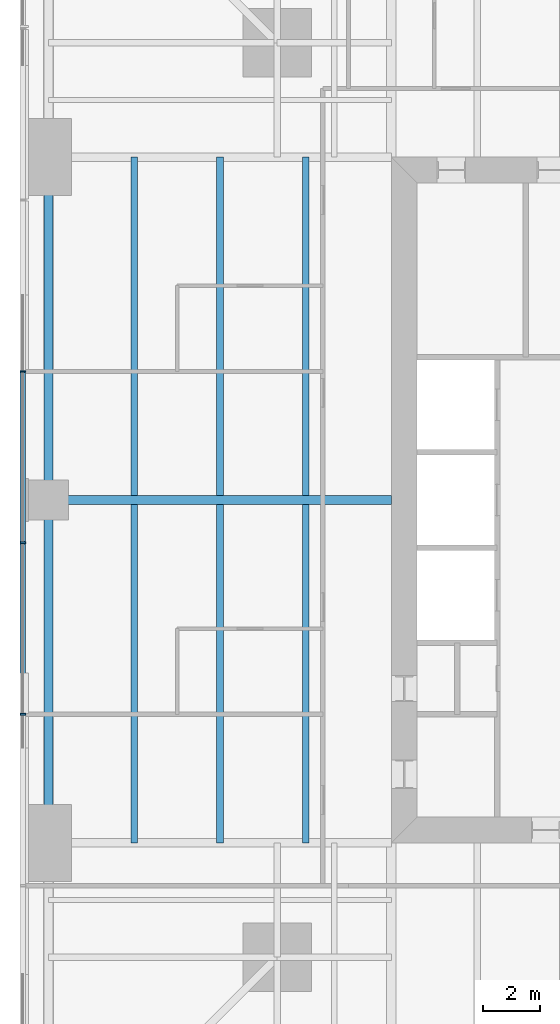
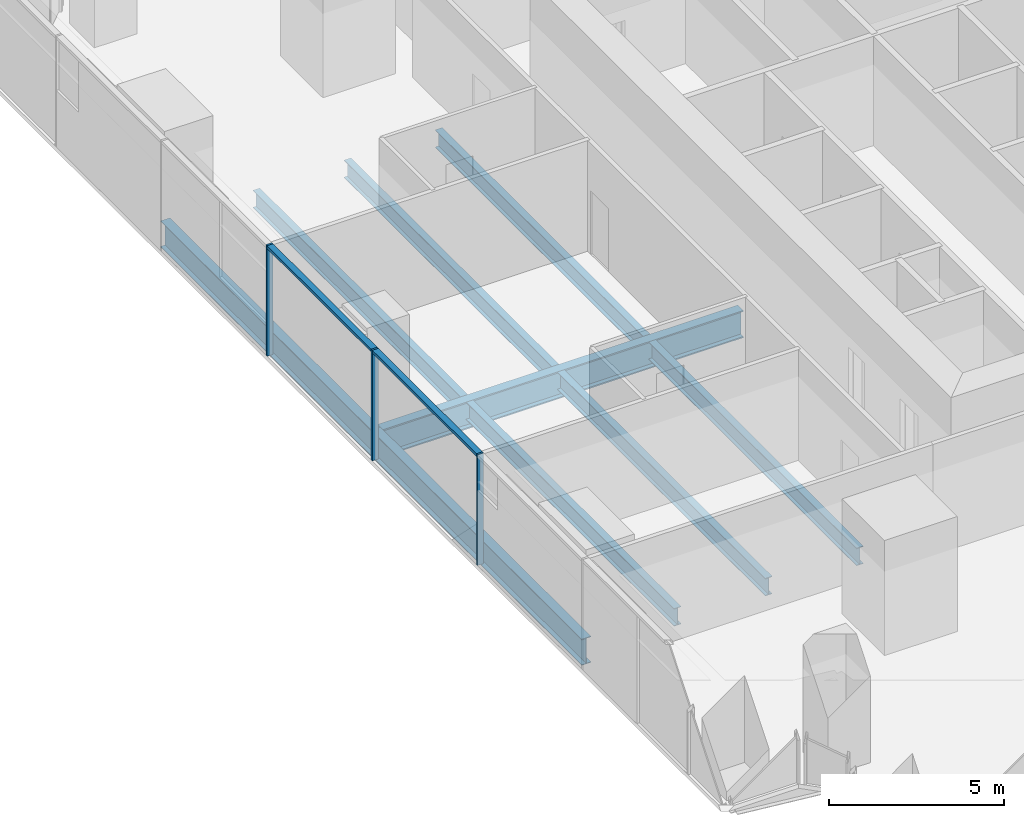
# One storey, part 4 of 16: 9 beams, 5 members, 1 element without a shape of its own.
"""IFC4 building model written with IfcOpenShell, lengths in metres."""

from ifc_helpers import new_model, si_unit, direction, frame, origin, origin_2d, place, context, subcontext, project, spatial, rectangle, i_section, extrude, material, material_profile, profile_set, type_object, element, aggregate, save


model = new_model("IFC4")

# Units and contexts
model_context = context("Model", 3, precision=1e-05, world=origin(), true_north=direction((0.0, 1.0)))
body_context = subcontext(model_context, "Body", "Model", "MODEL_VIEW")
ifc_project = project(units=[si_unit("LENGTHUNIT", "METRE"), si_unit("AREAUNIT", "SQUARE_METRE"), si_unit("VOLUMEUNIT", "CUBIC_METRE"), si_unit("PLANEANGLEUNIT", "RADIAN"), si_unit("MASSUNIT", "GRAM", prefix="KILO")], contexts=[model_context])

# Site, building, storey
site_placement = place(None, origin())
site = spatial("IfcSite", under=ifc_project, at=site_placement, CompositionType="ELEMENT")
building_placement = place(site_placement, origin())
building = spatial("IfcBuilding", under=site, at=building_placement, Name="Fenwick Lantern Interchange", CompositionType="ELEMENT")
storey_placement = place(building_placement, frame((0.0, 0.0, 75.0)))
storey = spatial("IfcBuildingStorey", under=building, at=storey_placement, Name="L17", CompositionType="ELEMENT", Elevation=75.0)

# Beams
ifc_material_1 = material(Name="Steel ASTM A992 Grade 50", Category="steel")
ifc_material_profile_1 = material_profile(ifc_material_1, i_section(OverallWidth=0.3046875, OverallDepth=0.911865234375, WebThickness=0.015869140625, FlangeThickness=0.02392578125, at=origin_2d()), Name="W36X150")
ifc_profile_set_1 = profile_set([ifc_material_profile_1], Name="Steel ASTM A992 Grade 50")
beam_type_1 = type_object("IfcBeamType", Name="EDGE BEAM W36X150", PredefinedType="SPANDREL", material=ifc_profile_set_1)
for number, where, z_axis, x_axis, name in (
    (1, (1.0, 37.0, -0.60595703125), (0.0, -1.0, 0.0), (1.0, 0.0, 0.0), "L17/FR/W/EB2"),
    (2, (1.0, 25.0, -0.60595703125), (0.0, -1.0, 0.0), (1.0, 0.0, 0.0), "L17/FR/W/EB3"),
):
    element("IfcBeam", number, at=place(storey_placement, frame(where, z_axis=z_axis, x_axis=x_axis)), inside=storey, type_object=beam_type_1, Name=name, PredefinedType="SPANDREL", context=body_context, shape_type="SweptSolid", body=[
        extrude(i_section(OverallWidth=0.3046875, OverallDepth=0.911865234375, WebThickness=0.015869140625, FlangeThickness=0.02392578125, at=origin_2d()), origin(), (0.0, 0.0, 1.0), 12.0),
    ])
ifc_material_profile_2 = material_profile(ifc_material_1, i_section(OverallWidth=0.22900390625, OverallDepth=0.612060546875, WebThickness=0.011962890625, FlangeThickness=0.01953125, at=origin_2d()), Name="W24X84")
ifc_profile_set_2 = profile_set([ifc_material_profile_2], Name="Steel ASTM A992 Grade 50")
beam_type_2 = type_object("IfcBeamType", Name="FLOOR BEAM W24X84", PredefinedType="BEAM", material=ifc_profile_set_2)
for number, where, z_axis, x_axis, name in (
    (3, (4.0, 37.0, -0.4560546875), (0.0, -1.0, 0.0), (1.0, 0.0, 0.0), "L17/FR/W/B01"),
    (4, (7.0, 37.0, -0.4560546875), (0.0, -1.0, 0.0), (1.0, 0.0, 0.0), "L17/FR/W/B02"),
    (5, (10.0, 37.0, -0.4560546875), (0.0, -1.0, 0.0), (1.0, 0.0, 0.0), "L17/FR/W/B03"),
    (6, (4.0, 24.844970703125, -0.4560546875), (0.0, -1.0, 0.0), (1.0, 0.0, 0.0), "L17/FR/W/B04"),
    (7, (7.0, 24.844970703125, -0.4560546875), (0.0, -1.0, 0.0), (1.0, 0.0, 0.0), "L17/FR/W/B05"),
    (8, (10.0, 24.844970703125, -0.4560546875), (0.0, -1.0, 0.0), (1.0, 0.0, 0.0), "L17/FR/W/B06"),
):
    element("IfcBeam", number, at=place(storey_placement, frame(where, z_axis=z_axis, x_axis=x_axis)), inside=storey, type_object=beam_type_2, Name=name, PredefinedType="BEAM", context=body_context, shape_type="SweptSolid", body=[
        extrude(i_section(OverallWidth=0.22900390625, OverallDepth=0.612060546875, WebThickness=0.011962890625, FlangeThickness=0.01953125, at=origin_2d()), origin(), (0.0, 0.0, 1.0), 11.844970703125),
    ])
ifc_material_profile_3 = material_profile(ifc_material_1, i_section(OverallWidth=0.309814453125, OverallDepth=0.949951171875, WebThickness=0.0244140625, FlangeThickness=0.0439453125, at=origin_2d()), Name="W36X256")
ifc_profile_set_3 = profile_set([ifc_material_profile_3], Name="Steel ASTM A992 Grade 50")
beam_type_3 = type_object("IfcBeamType", Name="MOMENT-CONNECTED GIRDER W36X256", PredefinedType="BEAM", material=ifc_profile_set_3)
beam_placement = place(storey_placement, frame((1.0, 25.0, -0.625), z_axis=(1.0, 0.0, 0.0), x_axis=(0.0, 1.0, 0.0)))
element("IfcBeam", 9, at=beam_placement, inside=storey, type_object=beam_type_3, Name="L17/FR/W/R02", PredefinedType="BEAM", context=body_context, shape_type="SweptSolid", body=[
    extrude(i_section(OverallWidth=0.309814453125, OverallDepth=0.949951171875, WebThickness=0.0244140625, FlangeThickness=0.0439453125, at=origin_2d()), origin(), (0.0, 0.0, 1.0), 12.0),
])

# Curtain wall, members
ifc_material_2 = material(Name="Aluminium curtain wall frame", Category="aluminium")
curtain_wall_type = type_object("IfcCurtainWallType", Name="OFFICE CURTAIN WALL", PredefinedType="USERDEFINED", material=ifc_material_2)
curtain_wall_placement = place(storey_placement, origin())
curtain_wall = element("IfcCurtainWall", 10, at=curtain_wall_placement, inside=storey, type_object=curtain_wall_type, Name="Office curtain wall 13", ObjectType="OFFICE CURTAIN WALL", PredefinedType="USERDEFINED")
ifc_material_3 = material(Name="Aluminium extrusion", Category="aluminium")
ifc_material_profile_4 = material_profile(ifc_material_3, rectangle(XDim=0.199951171875, YDim=0.06494140625, at=origin_2d()), Name="OFFICE CURTAIN WALL MULLION 65 X 200")
ifc_profile_set_4 = profile_set([ifc_material_profile_4], Name="Aluminium extrusion")
member_type_1 = type_object("IfcMemberType", Name="OFFICE CURTAIN WALL MULLION 65 X 200", PredefinedType="MULLION", material=ifc_profile_set_4)
member_1_placement = place(storey_placement, frame((0.10009765625, 29.5, 0.0), z_axis=(0.0, 0.0, 1.0), x_axis=(1.0, 0.0, 0.0)))
member_1 = element("IfcMember", 11, at=member_1_placement, type_object=member_type_1, Name="L17/CW/13/M03", PredefinedType="MULLION", context=body_context, shape_type="SweptSolid", body=[
    extrude(rectangle(XDim=0.199951171875, YDim=0.06494140625, at=origin_2d()), origin(), (0.0, 0.0, 1.0), 3.85009765625),
])
member_2_placement = place(storey_placement, frame((0.10009765625, 23.5, 0.0), z_axis=(0.0, 0.0, 1.0), x_axis=(1.0, 0.0, 0.0)))
member_2 = element("IfcMember", 12, at=member_2_placement, type_object=member_type_1, Name="L17/CW/13/M04", PredefinedType="MULLION", context=body_context, shape_type="SweptSolid", body=[
    extrude(rectangle(XDim=0.199951171875, YDim=0.06494140625, at=origin_2d()), origin(), (0.0, 0.0, 1.0), 3.85009765625),
])
member_3_placement = place(storey_placement, frame((0.10009765625, 17.5, 0.0), z_axis=(0.0, 0.0, 1.0), x_axis=(1.0, 0.0, 0.0)))
member_3 = element("IfcMember", 13, at=member_3_placement, type_object=member_type_1, Name="L17/CW/13/M05", PredefinedType="MULLION", context=body_context, shape_type="SweptSolid", body=[
    extrude(rectangle(XDim=0.199951171875, YDim=0.06494140625, at=origin_2d()), origin(), (0.0, 0.0, 1.0), 3.85009765625),
])
ifc_material_profile_5 = material_profile(ifc_material_3, rectangle(XDim=0.199951171875, YDim=0.10009765625, at=origin_2d()), Name="OFFICE CURTAIN WALL TRANSOM 100 X 200")
ifc_profile_set_5 = profile_set([ifc_material_profile_5], Name="Aluminium extrusion")
member_type_2 = type_object("IfcMemberType", Name="OFFICE CURTAIN WALL TRANSOM 100 X 200", PredefinedType="MULLION", material=ifc_profile_set_5)
member_4_placement = place(storey_placement, frame((0.10009765625, 29.467529296875, 3.800048828125), z_axis=(0.0, -1.0, 0.0), x_axis=(1.0, 0.0, 0.0)))
member_4 = element("IfcMember", 14, at=member_4_placement, type_object=member_type_2, Name="L17/CW/13/T03", PredefinedType="MULLION", context=body_context, shape_type="SweptSolid", body=[
    extrude(rectangle(XDim=0.199951171875, YDim=0.10009765625, at=origin_2d()), origin(), (0.0, 0.0, 1.0), 5.93505859375),
])
member_5_placement = place(storey_placement, frame((0.10009765625, 23.467529296875, 3.800048828125), z_axis=(0.0, -1.0, 0.0), x_axis=(1.0, 0.0, 0.0)))
member_5 = element("IfcMember", 15, at=member_5_placement, type_object=member_type_2, Name="L17/CW/13/T04", PredefinedType="MULLION", context=body_context, shape_type="SweptSolid", body=[
    extrude(rectangle(XDim=0.199951171875, YDim=0.10009765625, at=origin_2d()), origin(), (0.0, 0.0, 1.0), 5.93505859375),
])
aggregate(curtain_wall, [member_1, member_2, member_3, member_4, member_5])

save(model, "model.ifc")
